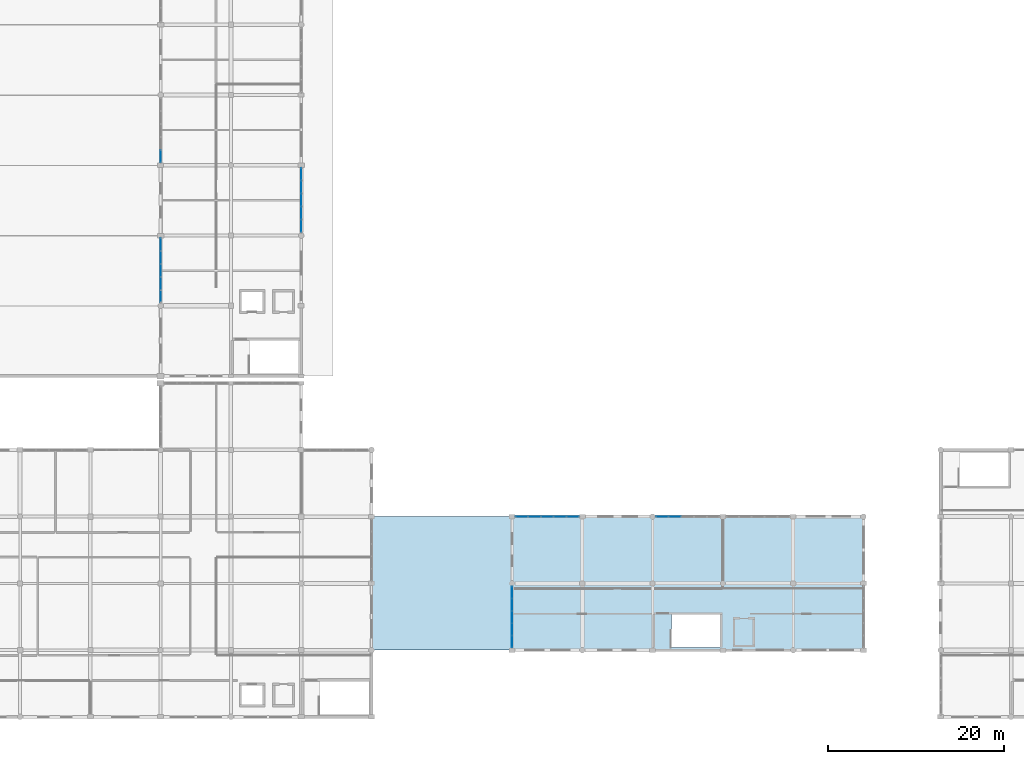
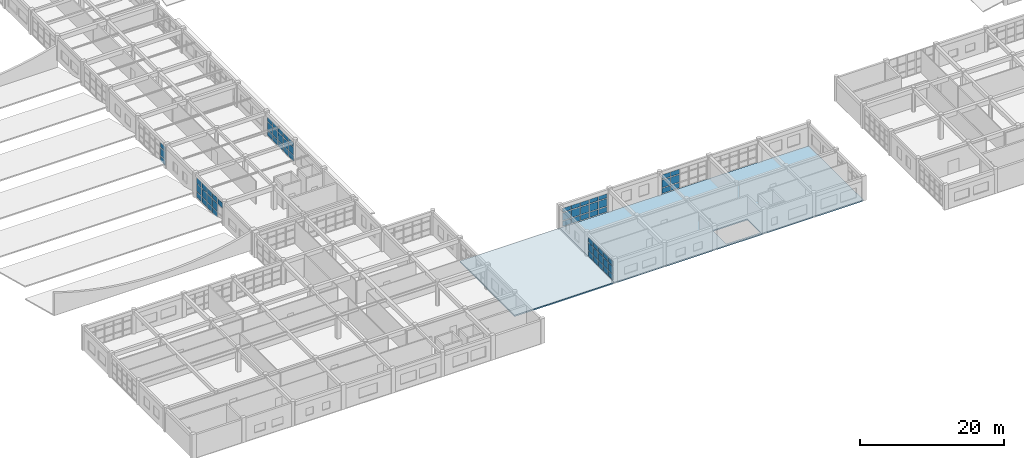
# One storey, part 92 of 121: 67 plates, 2 slabs, 6 elements without a shape of their own.
"""IFC4 building model written with IfcOpenShell, lengths in metres."""

from ifc_helpers import new_model, si_unit, direction, frame, origin, origin_2d, place, context, subcontext, project, spatial, polyline, rectangle, outline, extrude, material, layer, layer_set, type_object, element, aggregate, save


model = new_model("IFC4")

# Units and contexts
model_context = context("Model", 3, precision=1e-05, world=origin(), true_north=direction((0.0, 1.0)))
body_context = subcontext(model_context, "Body", "Model", "MODEL_VIEW")
ifc_project = project(units=[si_unit("LENGTHUNIT", "METRE"), si_unit("AREAUNIT", "SQUARE_METRE"), si_unit("VOLUMEUNIT", "CUBIC_METRE"), si_unit("PLANEANGLEUNIT", "RADIAN"), si_unit("MASSUNIT", "GRAM", prefix="KILO")], contexts=[model_context])

# Site, building, storey
site_placement = place(None, origin())
site = spatial("IfcSite", under=ifc_project, at=site_placement, CompositionType="ELEMENT")
building_placement = place(site_placement, origin())
building = spatial("IfcBuilding", under=site, at=building_placement, Name="Kharva Crest Polytechnic", CompositionType="ELEMENT")
storey_placement = place(building_placement, frame((0.0, 0.0, 13.199951171875)))
storey = spatial("IfcBuildingStorey", under=building, at=storey_placement, Name="L03", CompositionType="ELEMENT", Elevation=13.199951171875)

# Curtain wall, plates
ifc_material_1 = material(Name="Tempered insulated glass", Category="glass")
curtain_wall_type = type_object("IfcCurtainWallType", Name="CW-SYS-COURT", PredefinedType="USERDEFINED", material=ifc_material_1)
curtain_wall_1_placement = place(storey_placement, origin())
curtain_wall_1 = element("IfcCurtainWall", 1, at=curtain_wall_1_placement, inside=storey, type_object=curtain_wall_type, Name="L03 Glazed Curtain Wall CW-134", ObjectType="CURTAIN WALL", PredefinedType="USERDEFINED")
ifc_layer_1 = layer(ifc_material_1, 0.02392578125, Name="Tempered insulated glass")
ifc_layer_set_1 = layer_set([ifc_layer_1], Name="Tempered insulated glass")
plate_type = type_object("IfcPlateType", Name="CWP-GLZ-24", PredefinedType="CURTAIN_PANEL", material=ifc_layer_set_1)
plate_1_placement = place(storey_placement, frame((72.0, 14.153076171875, 0.119873046875), z_axis=(0.0, 0.0, 1.0), x_axis=(0.0, -1.0, 0.0)))
plate_1 = element("IfcPlate", 2, at=plate_1_placement, type_object=plate_type, Name="CW-134 panel 1.1", PredefinedType="CURTAIN_PANEL", context=body_context, shape_type="SweptSolid", body=[
    extrude(rectangle(XDim=1.283935546875, YDim=0.02392578125, at=origin_2d()), origin(), (0.0, 0.0, 1.0), 0.8701171875),
])
plate_2_placement = place(storey_placement, frame((72.0, 14.153076171875, 1.10986328125), z_axis=(0.0, 0.0, 1.0), x_axis=(0.0, -1.0, 0.0)))
plate_2 = element("IfcPlate", 3, at=plate_2_placement, type_object=plate_type, Name="CW-134 panel 1.2", PredefinedType="CURTAIN_PANEL", context=body_context, shape_type="SweptSolid", body=[
    extrude(rectangle(XDim=1.283935546875, YDim=0.02392578125, at=origin_2d()), origin(), (0.0, 0.0, 1.0), 1.280029296875),
])
plate_3_placement = place(storey_placement, frame((72.0, 14.153076171875, 2.510009765625), z_axis=(0.0, 0.0, 1.0), x_axis=(0.0, -1.0, 0.0)))
plate_3 = element("IfcPlate", 4, at=plate_3_placement, type_object=plate_type, Name="CW-134 panel 1.3", PredefinedType="CURTAIN_PANEL", context=body_context, shape_type="SweptSolid", body=[
    extrude(rectangle(XDim=1.283935546875, YDim=0.02392578125, at=origin_2d()), origin(), (0.0, 0.0, 1.0), 0.81005859375),
])
plate_4_placement = place(storey_placement, frame((72.0, 12.76904296875, 0.119873046875), z_axis=(0.0, 0.0, 1.0), x_axis=(0.0, -1.0, 0.0)))
plate_4 = element("IfcPlate", 5, at=plate_4_placement, type_object=plate_type, Name="CW-134 panel 2.1", PredefinedType="CURTAIN_PANEL", context=body_context, shape_type="SweptSolid", body=[
    extrude(rectangle(XDim=1.323974609375, YDim=0.02392578125, at=origin_2d()), origin(), (0.0, 0.0, 1.0), 0.8701171875),
])
plate_5_placement = place(storey_placement, frame((72.0, 12.76904296875, 1.10986328125), z_axis=(0.0, 0.0, 1.0), x_axis=(0.0, -1.0, 0.0)))
plate_5 = element("IfcPlate", 6, at=plate_5_placement, type_object=plate_type, Name="CW-134 panel 2.2", PredefinedType="CURTAIN_PANEL", context=body_context, shape_type="SweptSolid", body=[
    extrude(rectangle(XDim=1.323974609375, YDim=0.02392578125, at=origin_2d()), origin(), (0.0, 0.0, 1.0), 1.280029296875),
])
plate_6_placement = place(storey_placement, frame((72.0, 12.76904296875, 2.510009765625), z_axis=(0.0, 0.0, 1.0), x_axis=(0.0, -1.0, 0.0)))
plate_6 = element("IfcPlate", 7, at=plate_6_placement, type_object=plate_type, Name="CW-134 panel 2.3", PredefinedType="CURTAIN_PANEL", context=body_context, shape_type="SweptSolid", body=[
    extrude(rectangle(XDim=1.323974609375, YDim=0.02392578125, at=origin_2d()), origin(), (0.0, 0.0, 1.0), 0.81005859375),
])
plate_7_placement = place(storey_placement, frame((72.0, 11.364990234375, 0.119873046875), z_axis=(0.0, 0.0, 1.0), x_axis=(0.0, -1.0, 0.0)))
plate_7 = element("IfcPlate", 8, at=plate_7_placement, type_object=plate_type, Name="CW-134 panel 3.1", PredefinedType="CURTAIN_PANEL", context=body_context, shape_type="SweptSolid", body=[
    extrude(rectangle(XDim=1.323974609375, YDim=0.02392578125, at=origin_2d()), origin(), (0.0, 0.0, 1.0), 0.8701171875),
])
plate_8_placement = place(storey_placement, frame((72.0, 11.364990234375, 1.10986328125), z_axis=(0.0, 0.0, 1.0), x_axis=(0.0, -1.0, 0.0)))
plate_8 = element("IfcPlate", 9, at=plate_8_placement, type_object=plate_type, Name="CW-134 panel 3.2", PredefinedType="CURTAIN_PANEL", context=body_context, shape_type="SweptSolid", body=[
    extrude(rectangle(XDim=1.323974609375, YDim=0.02392578125, at=origin_2d()), origin(), (0.0, 0.0, 1.0), 1.280029296875),
])
plate_9_placement = place(storey_placement, frame((72.0, 11.364990234375, 2.510009765625), z_axis=(0.0, 0.0, 1.0), x_axis=(0.0, -1.0, 0.0)))
plate_9 = element("IfcPlate", 10, at=plate_9_placement, type_object=plate_type, Name="CW-134 panel 3.3", PredefinedType="CURTAIN_PANEL", context=body_context, shape_type="SweptSolid", body=[
    extrude(rectangle(XDim=1.323974609375, YDim=0.02392578125, at=origin_2d()), origin(), (0.0, 0.0, 1.0), 0.81005859375),
])
plate_10_placement = place(storey_placement, frame((72.0, 9.9609375, 0.119873046875), z_axis=(0.0, 0.0, 1.0), x_axis=(0.0, -1.0, 0.0)))
plate_10 = element("IfcPlate", 11, at=plate_10_placement, type_object=plate_type, Name="CW-134 panel 4.1", PredefinedType="CURTAIN_PANEL", context=body_context, shape_type="SweptSolid", body=[
    extrude(rectangle(XDim=1.323974609375, YDim=0.02392578125, at=origin_2d()), origin(), (0.0, 0.0, 1.0), 0.8701171875),
])
plate_11_placement = place(storey_placement, frame((72.0, 9.9609375, 1.10986328125), z_axis=(0.0, 0.0, 1.0), x_axis=(0.0, -1.0, 0.0)))
plate_11 = element("IfcPlate", 12, at=plate_11_placement, type_object=plate_type, Name="CW-134 panel 4.2", PredefinedType="CURTAIN_PANEL", context=body_context, shape_type="SweptSolid", body=[
    extrude(rectangle(XDim=1.323974609375, YDim=0.02392578125, at=origin_2d()), origin(), (0.0, 0.0, 1.0), 1.280029296875),
])
plate_12_placement = place(storey_placement, frame((72.0, 9.9609375, 2.510009765625), z_axis=(0.0, 0.0, 1.0), x_axis=(0.0, -1.0, 0.0)))
plate_12 = element("IfcPlate", 13, at=plate_12_placement, type_object=plate_type, Name="CW-134 panel 4.3", PredefinedType="CURTAIN_PANEL", context=body_context, shape_type="SweptSolid", body=[
    extrude(rectangle(XDim=1.323974609375, YDim=0.02392578125, at=origin_2d()), origin(), (0.0, 0.0, 1.0), 0.81005859375),
])
plate_13_placement = place(storey_placement, frame((72.0, 8.576904296875, 0.119873046875), z_axis=(0.0, 0.0, 1.0), x_axis=(0.0, -1.0, 0.0)))
plate_13 = element("IfcPlate", 14, at=plate_13_placement, type_object=plate_type, Name="CW-134 panel 5.1", PredefinedType="CURTAIN_PANEL", context=body_context, shape_type="SweptSolid", body=[
    extrude(rectangle(XDim=1.283935546875, YDim=0.02392578125, at=origin_2d()), origin(), (0.0, 0.0, 1.0), 0.8701171875),
])
plate_14_placement = place(storey_placement, frame((72.0, 8.576904296875, 1.10986328125), z_axis=(0.0, 0.0, 1.0), x_axis=(0.0, -1.0, 0.0)))
plate_14 = element("IfcPlate", 15, at=plate_14_placement, type_object=plate_type, Name="CW-134 panel 5.2", PredefinedType="CURTAIN_PANEL", context=body_context, shape_type="SweptSolid", body=[
    extrude(rectangle(XDim=1.283935546875, YDim=0.02392578125, at=origin_2d()), origin(), (0.0, 0.0, 1.0), 1.280029296875),
])
plate_15_placement = place(storey_placement, frame((72.0, 8.576904296875, 2.510009765625), z_axis=(0.0, 0.0, 1.0), x_axis=(0.0, -1.0, 0.0)))
plate_15 = element("IfcPlate", 16, at=plate_15_placement, type_object=plate_type, Name="CW-134 panel 5.3", PredefinedType="CURTAIN_PANEL", context=body_context, shape_type="SweptSolid", body=[
    extrude(rectangle(XDim=1.283935546875, YDim=0.02392578125, at=origin_2d()), origin(), (0.0, 0.0, 1.0), 0.81005859375),
])
aggregate(curtain_wall_1, [plate_1, plate_2, plate_3, plate_4, plate_5, plate_6, plate_7, plate_8, plate_9, plate_10, plate_11, plate_12, plate_13, plate_14, plate_15])

curtain_wall_2_placement = place(storey_placement, origin())
curtain_wall_2 = element("IfcCurtainWall", 17, at=curtain_wall_2_placement, inside=storey, type_object=curtain_wall_type, Name="L03 Glazed Curtain Wall CW-137", ObjectType="CURTAIN WALL", PredefinedType="USERDEFINED")
plate_16_placement = place(storey_placement, frame((90.52099609375, 22.800048828125, 0.119873046875), z_axis=(0.0, 0.0, 1.0), x_axis=(-1.0, 0.0, 0.0)))
plate_16 = element("IfcPlate", 18, at=plate_16_placement, type_object=plate_type, Name="CW-137 panel 4.1", PredefinedType="CURTAIN_PANEL", context=body_context, shape_type="SweptSolid", body=[
    extrude(rectangle(XDim=1.384033203125, YDim=0.02392578125, at=origin_2d()), origin(), (0.0, 0.0, 1.0), 0.8701171875),
])
plate_17_placement = place(storey_placement, frame((90.52099609375, 22.800048828125, 1.10986328125), z_axis=(0.0, 0.0, 1.0), x_axis=(-1.0, 0.0, 0.0)))
plate_17 = element("IfcPlate", 19, at=plate_17_placement, type_object=plate_type, Name="CW-137 panel 4.2", PredefinedType="CURTAIN_PANEL", context=body_context, shape_type="SweptSolid", body=[
    extrude(rectangle(XDim=1.384033203125, YDim=0.02392578125, at=origin_2d()), origin(), (0.0, 0.0, 1.0), 1.280029296875),
])
plate_18_placement = place(storey_placement, frame((90.52099609375, 22.800048828125, 2.51025390625), z_axis=(0.0, 0.0, 1.0), x_axis=(-1.0, 0.0, 0.0)))
plate_18 = element("IfcPlate", 20, at=plate_18_placement, type_object=plate_type, Name="CW-137 panel 4.3", PredefinedType="CURTAIN_PANEL", context=body_context, shape_type="SweptSolid", body=[
    extrude(rectangle(XDim=1.384033203125, YDim=0.02392578125, at=origin_2d()), origin(), (0.0, 0.0, 1.0), 0.780029296875),
])
plate_19_placement = place(storey_placement, frame((89.076904296875, 22.800048828125, 0.119873046875), z_axis=(0.0, 0.0, 1.0), x_axis=(-1.0, 0.0, 0.0)))
plate_19 = element("IfcPlate", 21, at=plate_19_placement, type_object=plate_type, Name="CW-137 panel 5.1", PredefinedType="CURTAIN_PANEL", context=body_context, shape_type="SweptSolid", body=[
    extrude(rectangle(XDim=1.343994140625, YDim=0.02392578125, at=origin_2d()), origin(), (0.0, 0.0, 1.0), 0.8701171875),
])
plate_20_placement = place(storey_placement, frame((89.076904296875, 22.800048828125, 1.10986328125), z_axis=(0.0, 0.0, 1.0), x_axis=(-1.0, 0.0, 0.0)))
plate_20 = element("IfcPlate", 22, at=plate_20_placement, type_object=plate_type, Name="CW-137 panel 5.2", PredefinedType="CURTAIN_PANEL", context=body_context, shape_type="SweptSolid", body=[
    extrude(rectangle(XDim=1.343994140625, YDim=0.02392578125, at=origin_2d()), origin(), (0.0, 0.0, 1.0), 1.280029296875),
])
plate_21_placement = place(storey_placement, frame((89.076904296875, 22.800048828125, 2.51025390625), z_axis=(0.0, 0.0, 1.0), x_axis=(-1.0, 0.0, 0.0)))
plate_21 = element("IfcPlate", 23, at=plate_21_placement, type_object=plate_type, Name="CW-137 panel 5.3", PredefinedType="CURTAIN_PANEL", context=body_context, shape_type="SweptSolid", body=[
    extrude(rectangle(XDim=1.343994140625, YDim=0.02392578125, at=origin_2d()), origin(), (0.0, 0.0, 1.0), 0.780029296875),
])
aggregate(curtain_wall_2, [plate_16, plate_17, plate_18, plate_19, plate_20, plate_21])

curtain_wall_3_placement = place(storey_placement, origin())
curtain_wall_3 = element("IfcCurtainWall", 24, at=curtain_wall_3_placement, inside=storey, type_object=curtain_wall_type, Name="L03 Glazed Curtain Wall CW-138", ObjectType="CURTAIN WALL", PredefinedType="USERDEFINED")
plate_22_placement = place(storey_placement, frame((78.905029296875, 22.800048828125, 0.119873046875), z_axis=(0.0, 0.0, 1.0), x_axis=(-1.0, 0.0, 0.0)))
plate_22 = element("IfcPlate", 25, at=plate_22_placement, type_object=plate_type, Name="CW-138 panel 1.1", PredefinedType="CURTAIN_PANEL", context=body_context, shape_type="SweptSolid", body=[
    extrude(rectangle(XDim=1.340087890625, YDim=0.02392578125, at=origin_2d()), origin(), (0.0, 0.0, 1.0), 0.8701171875),
])
plate_23_placement = place(storey_placement, frame((78.905029296875, 22.800048828125, 1.10986328125), z_axis=(0.0, 0.0, 1.0), x_axis=(-1.0, 0.0, 0.0)))
plate_23 = element("IfcPlate", 26, at=plate_23_placement, type_object=plate_type, Name="CW-138 panel 1.2", PredefinedType="CURTAIN_PANEL", context=body_context, shape_type="SweptSolid", body=[
    extrude(rectangle(XDim=1.340087890625, YDim=0.02392578125, at=origin_2d()), origin(), (0.0, 0.0, 1.0), 1.280029296875),
])
plate_24_placement = place(storey_placement, frame((78.905029296875, 22.800048828125, 2.51025390625), z_axis=(0.0, 0.0, 1.0), x_axis=(-1.0, 0.0, 0.0)))
plate_24 = element("IfcPlate", 27, at=plate_24_placement, type_object=plate_type, Name="CW-138 panel 1.3", PredefinedType="CURTAIN_PANEL", context=body_context, shape_type="SweptSolid", body=[
    extrude(rectangle(XDim=1.340087890625, YDim=0.02392578125, at=origin_2d()), origin(), (0.0, 0.0, 1.0), 0.679931640625),
])
plate_25_placement = place(storey_placement, frame((77.465087890625, 22.800048828125, 0.119873046875), z_axis=(0.0, 0.0, 1.0), x_axis=(-1.0, 0.0, 0.0)))
plate_25 = element("IfcPlate", 28, at=plate_25_placement, type_object=plate_type, Name="CW-138 panel 2.1", PredefinedType="CURTAIN_PANEL", context=body_context, shape_type="SweptSolid", body=[
    extrude(rectangle(XDim=1.3798828125, YDim=0.02392578125, at=origin_2d()), origin(), (0.0, 0.0, 1.0), 0.8701171875),
])
plate_26_placement = place(storey_placement, frame((77.465087890625, 22.800048828125, 1.10986328125), z_axis=(0.0, 0.0, 1.0), x_axis=(-1.0, 0.0, 0.0)))
plate_26 = element("IfcPlate", 29, at=plate_26_placement, type_object=plate_type, Name="CW-138 panel 2.2", PredefinedType="CURTAIN_PANEL", context=body_context, shape_type="SweptSolid", body=[
    extrude(rectangle(XDim=1.3798828125, YDim=0.02392578125, at=origin_2d()), origin(), (0.0, 0.0, 1.0), 1.280029296875),
])
plate_27_placement = place(storey_placement, frame((77.465087890625, 22.800048828125, 2.51025390625), z_axis=(0.0, 0.0, 1.0), x_axis=(-1.0, 0.0, 0.0)))
plate_27 = element("IfcPlate", 30, at=plate_27_placement, type_object=plate_type, Name="CW-138 panel 2.3", PredefinedType="CURTAIN_PANEL", context=body_context, shape_type="SweptSolid", body=[
    extrude(rectangle(XDim=1.3798828125, YDim=0.02392578125, at=origin_2d()), origin(), (0.0, 0.0, 1.0), 0.679931640625),
])
plate_28_placement = place(storey_placement, frame((76.0048828125, 22.800048828125, 0.119873046875), z_axis=(0.0, 0.0, 1.0), x_axis=(-1.0, 0.0, 0.0)))
plate_28 = element("IfcPlate", 31, at=plate_28_placement, type_object=plate_type, Name="CW-138 panel 3.1", PredefinedType="CURTAIN_PANEL", context=body_context, shape_type="SweptSolid", body=[
    extrude(rectangle(XDim=1.3798828125, YDim=0.02392578125, at=origin_2d()), origin(), (0.0, 0.0, 1.0), 0.8701171875),
])
plate_29_placement = place(storey_placement, frame((76.0048828125, 22.800048828125, 1.10986328125), z_axis=(0.0, 0.0, 1.0), x_axis=(-1.0, 0.0, 0.0)))
plate_29 = element("IfcPlate", 32, at=plate_29_placement, type_object=plate_type, Name="CW-138 panel 3.2", PredefinedType="CURTAIN_PANEL", context=body_context, shape_type="SweptSolid", body=[
    extrude(rectangle(XDim=1.3798828125, YDim=0.02392578125, at=origin_2d()), origin(), (0.0, 0.0, 1.0), 1.280029296875),
])
plate_30_placement = place(storey_placement, frame((76.0048828125, 22.800048828125, 2.51025390625), z_axis=(0.0, 0.0, 1.0), x_axis=(-1.0, 0.0, 0.0)))
plate_30 = element("IfcPlate", 33, at=plate_30_placement, type_object=plate_type, Name="CW-138 panel 3.3", PredefinedType="CURTAIN_PANEL", context=body_context, shape_type="SweptSolid", body=[
    extrude(rectangle(XDim=1.3798828125, YDim=0.02392578125, at=origin_2d()), origin(), (0.0, 0.0, 1.0), 0.679931640625),
])
plate_31_placement = place(storey_placement, frame((74.544921875, 22.800048828125, 0.119873046875), z_axis=(0.0, 0.0, 1.0), x_axis=(-1.0, 0.0, 0.0)))
plate_31 = element("IfcPlate", 34, at=plate_31_placement, type_object=plate_type, Name="CW-138 panel 4.1", PredefinedType="CURTAIN_PANEL", context=body_context, shape_type="SweptSolid", body=[
    extrude(rectangle(XDim=1.3798828125, YDim=0.02392578125, at=origin_2d()), origin(), (0.0, 0.0, 1.0), 0.8701171875),
])
plate_32_placement = place(storey_placement, frame((74.544921875, 22.800048828125, 1.10986328125), z_axis=(0.0, 0.0, 1.0), x_axis=(-1.0, 0.0, 0.0)))
plate_32 = element("IfcPlate", 35, at=plate_32_placement, type_object=plate_type, Name="CW-138 panel 4.2", PredefinedType="CURTAIN_PANEL", context=body_context, shape_type="SweptSolid", body=[
    extrude(rectangle(XDim=1.3798828125, YDim=0.02392578125, at=origin_2d()), origin(), (0.0, 0.0, 1.0), 1.280029296875),
])
plate_33_placement = place(storey_placement, frame((74.544921875, 22.800048828125, 2.51025390625), z_axis=(0.0, 0.0, 1.0), x_axis=(-1.0, 0.0, 0.0)))
plate_33 = element("IfcPlate", 36, at=plate_33_placement, type_object=plate_type, Name="CW-138 panel 4.3", PredefinedType="CURTAIN_PANEL", context=body_context, shape_type="SweptSolid", body=[
    extrude(rectangle(XDim=1.3798828125, YDim=0.02392578125, at=origin_2d()), origin(), (0.0, 0.0, 1.0), 0.679931640625),
])
plate_34_placement = place(storey_placement, frame((73.10498046875, 22.800048828125, 0.119873046875), z_axis=(0.0, 0.0, 1.0), x_axis=(-1.0, 0.0, 0.0)))
plate_34 = element("IfcPlate", 37, at=plate_34_placement, type_object=plate_type, Name="CW-138 panel 5.1", PredefinedType="CURTAIN_PANEL", context=body_context, shape_type="SweptSolid", body=[
    extrude(rectangle(XDim=1.340087890625, YDim=0.02392578125, at=origin_2d()), origin(), (0.0, 0.0, 1.0), 0.8701171875),
])
plate_35_placement = place(storey_placement, frame((73.10498046875, 22.800048828125, 1.10986328125), z_axis=(0.0, 0.0, 1.0), x_axis=(-1.0, 0.0, 0.0)))
plate_35 = element("IfcPlate", 38, at=plate_35_placement, type_object=plate_type, Name="CW-138 panel 5.2", PredefinedType="CURTAIN_PANEL", context=body_context, shape_type="SweptSolid", body=[
    extrude(rectangle(XDim=1.340087890625, YDim=0.02392578125, at=origin_2d()), origin(), (0.0, 0.0, 1.0), 1.280029296875),
])
plate_36_placement = place(storey_placement, frame((73.10498046875, 22.800048828125, 2.51025390625), z_axis=(0.0, 0.0, 1.0), x_axis=(-1.0, 0.0, 0.0)))
plate_36 = element("IfcPlate", 39, at=plate_36_placement, type_object=plate_type, Name="CW-138 panel 5.3", PredefinedType="CURTAIN_PANEL", context=body_context, shape_type="SweptSolid", body=[
    extrude(rectangle(XDim=1.340087890625, YDim=0.02392578125, at=origin_2d()), origin(), (0.0, 0.0, 1.0), 0.679931640625),
])
aggregate(curtain_wall_3, [plate_22, plate_23, plate_24, plate_25, plate_26, plate_27, plate_28, plate_29, plate_30, plate_31, plate_32, plate_33, plate_34, plate_35, plate_36])

curtain_wall_4_placement = place(storey_placement, origin())
curtain_wall_4 = element("IfcCurtainWall", 40, at=curtain_wall_4_placement, inside=storey, type_object=curtain_wall_type, Name="L03 Glazed Curtain Wall CW-167", ObjectType="CURTAIN WALL", PredefinedType="USERDEFINED")
plate_37_placement = place(storey_placement, frame((32.0, 63.81689453125, 0.119873046875), z_axis=(0.0, 0.0, 1.0), x_axis=(0.0, -1.0, 0.0)))
plate_37 = element("IfcPlate", 41, at=plate_37_placement, type_object=plate_type, Name="CW-167 panel 5.1", PredefinedType="CURTAIN_PANEL", context=body_context, shape_type="SweptSolid", body=[
    extrude(rectangle(XDim=1.364013671875, YDim=0.02392578125, at=origin_2d()), origin(), (0.0, 0.0, 1.0), 0.8701171875),
])
plate_38_placement = place(storey_placement, frame((32.0, 63.81689453125, 1.10986328125), z_axis=(0.0, 0.0, 1.0), x_axis=(0.0, -1.0, 0.0)))
plate_38 = element("IfcPlate", 42, at=plate_38_placement, type_object=plate_type, Name="CW-167 panel 5.2", PredefinedType="CURTAIN_PANEL", context=body_context, shape_type="SweptSolid", body=[
    extrude(rectangle(XDim=1.364013671875, YDim=0.02392578125, at=origin_2d()), origin(), (0.0, 0.0, 1.0), 1.280029296875),
])
plate_39_placement = place(storey_placement, frame((32.0, 63.81689453125, 2.510009765625), z_axis=(0.0, 0.0, 1.0), x_axis=(0.0, -1.0, 0.0)))
plate_39 = element("IfcPlate", 43, at=plate_39_placement, type_object=plate_type, Name="CW-167 panel 5.3", PredefinedType="CURTAIN_PANEL", context=body_context, shape_type="SweptSolid", body=[
    extrude(rectangle(XDim=1.364013671875, YDim=0.02392578125, at=origin_2d()), origin(), (0.0, 0.0, 1.0), 0.75),
])
aggregate(curtain_wall_4, [plate_37, plate_38, plate_39])

curtain_wall_5_placement = place(storey_placement, origin())
curtain_wall_5 = element("IfcCurtainWall", 44, at=curtain_wall_5_placement, inside=storey, type_object=curtain_wall_type, Name="L03 Glazed Curtain Wall CW-168", ObjectType="CURTAIN WALL", PredefinedType="USERDEFINED")
plate_40_placement = place(storey_placement, frame((32.0, 53.782958984375, 0.119873046875), z_axis=(0.0, 0.0, 1.0), x_axis=(0.0, -1.0, 0.0)))
plate_40 = element("IfcPlate", 45, at=plate_40_placement, type_object=plate_type, Name="CW-168 panel 1.1", PredefinedType="CURTAIN_PANEL", context=body_context, shape_type="SweptSolid", body=[
    extrude(rectangle(XDim=1.364013671875, YDim=0.02392578125, at=origin_2d()), origin(), (0.0, 0.0, 1.0), 0.8701171875),
])
plate_41_placement = place(storey_placement, frame((32.0, 53.782958984375, 1.10986328125), z_axis=(0.0, 0.0, 1.0), x_axis=(0.0, -1.0, 0.0)))
plate_41 = element("IfcPlate", 46, at=plate_41_placement, type_object=plate_type, Name="CW-168 panel 1.2", PredefinedType="CURTAIN_PANEL", context=body_context, shape_type="SweptSolid", body=[
    extrude(rectangle(XDim=1.364013671875, YDim=0.02392578125, at=origin_2d()), origin(), (0.0, 0.0, 1.0), 1.280029296875),
])
plate_42_placement = place(storey_placement, frame((32.0, 53.782958984375, 2.51025390625), z_axis=(0.0, 0.0, 1.0), x_axis=(0.0, -1.0, 0.0)))
plate_42 = element("IfcPlate", 47, at=plate_42_placement, type_object=plate_type, Name="CW-168 panel 1.3", PredefinedType="CURTAIN_PANEL", context=body_context, shape_type="SweptSolid", body=[
    extrude(rectangle(XDim=1.364013671875, YDim=0.02392578125, at=origin_2d()), origin(), (0.0, 0.0, 1.0), 0.889892578125),
])
plate_43_placement = place(storey_placement, frame((32.0, 52.319091796875, 0.119873046875), z_axis=(0.0, 0.0, 1.0), x_axis=(0.0, -1.0, 0.0)))
plate_43 = element("IfcPlate", 48, at=plate_43_placement, type_object=plate_type, Name="CW-168 panel 2.1", PredefinedType="CURTAIN_PANEL", context=body_context, shape_type="SweptSolid", body=[
    extrude(rectangle(XDim=1.404052734375, YDim=0.02392578125, at=origin_2d()), origin(), (0.0, 0.0, 1.0), 0.8701171875),
])
plate_44_placement = place(storey_placement, frame((32.0, 52.319091796875, 1.10986328125), z_axis=(0.0, 0.0, 1.0), x_axis=(0.0, -1.0, 0.0)))
plate_44 = element("IfcPlate", 49, at=plate_44_placement, type_object=plate_type, Name="CW-168 panel 2.2", PredefinedType="CURTAIN_PANEL", context=body_context, shape_type="SweptSolid", body=[
    extrude(rectangle(XDim=1.404052734375, YDim=0.02392578125, at=origin_2d()), origin(), (0.0, 0.0, 1.0), 1.280029296875),
])
plate_45_placement = place(storey_placement, frame((32.0, 52.319091796875, 2.51025390625), z_axis=(0.0, 0.0, 1.0), x_axis=(0.0, -1.0, 0.0)))
plate_45 = element("IfcPlate", 50, at=plate_45_placement, type_object=plate_type, Name="CW-168 panel 2.3", PredefinedType="CURTAIN_PANEL", context=body_context, shape_type="SweptSolid", body=[
    extrude(rectangle(XDim=1.404052734375, YDim=0.02392578125, at=origin_2d()), origin(), (0.0, 0.0, 1.0), 0.889892578125),
])
plate_46_placement = place(storey_placement, frame((32.0, 50.8349609375, 0.119873046875), z_axis=(0.0, 0.0, 1.0), x_axis=(0.0, -1.0, 0.0)))
plate_46 = element("IfcPlate", 51, at=plate_46_placement, type_object=plate_type, Name="CW-168 panel 3.1", PredefinedType="CURTAIN_PANEL", context=body_context, shape_type="SweptSolid", body=[
    extrude(rectangle(XDim=1.404052734375, YDim=0.02392578125, at=origin_2d()), origin(), (0.0, 0.0, 1.0), 0.8701171875),
])
plate_47_placement = place(storey_placement, frame((32.0, 50.8349609375, 1.10986328125), z_axis=(0.0, 0.0, 1.0), x_axis=(0.0, -1.0, 0.0)))
plate_47 = element("IfcPlate", 52, at=plate_47_placement, type_object=plate_type, Name="CW-168 panel 3.2", PredefinedType="CURTAIN_PANEL", context=body_context, shape_type="SweptSolid", body=[
    extrude(rectangle(XDim=1.404052734375, YDim=0.02392578125, at=origin_2d()), origin(), (0.0, 0.0, 1.0), 1.280029296875),
])
plate_48_placement = place(storey_placement, frame((32.0, 50.8349609375, 2.51025390625), z_axis=(0.0, 0.0, 1.0), x_axis=(0.0, -1.0, 0.0)))
plate_48 = element("IfcPlate", 53, at=plate_48_placement, type_object=plate_type, Name="CW-168 panel 3.3", PredefinedType="CURTAIN_PANEL", context=body_context, shape_type="SweptSolid", body=[
    extrude(rectangle(XDim=1.404052734375, YDim=0.02392578125, at=origin_2d()), origin(), (0.0, 0.0, 1.0), 0.889892578125),
])
plate_49_placement = place(storey_placement, frame((32.0, 49.35107421875, 0.119873046875), z_axis=(0.0, 0.0, 1.0), x_axis=(0.0, -1.0, 0.0)))
plate_49 = element("IfcPlate", 54, at=plate_49_placement, type_object=plate_type, Name="CW-168 panel 4.1", PredefinedType="CURTAIN_PANEL", context=body_context, shape_type="SweptSolid", body=[
    extrude(rectangle(XDim=1.404052734375, YDim=0.02392578125, at=origin_2d()), origin(), (0.0, 0.0, 1.0), 0.8701171875),
])
plate_50_placement = place(storey_placement, frame((32.0, 49.35107421875, 1.10986328125), z_axis=(0.0, 0.0, 1.0), x_axis=(0.0, -1.0, 0.0)))
plate_50 = element("IfcPlate", 55, at=plate_50_placement, type_object=plate_type, Name="CW-168 panel 4.2", PredefinedType="CURTAIN_PANEL", context=body_context, shape_type="SweptSolid", body=[
    extrude(rectangle(XDim=1.404052734375, YDim=0.02392578125, at=origin_2d()), origin(), (0.0, 0.0, 1.0), 1.280029296875),
])
plate_51_placement = place(storey_placement, frame((32.0, 49.35107421875, 2.51025390625), z_axis=(0.0, 0.0, 1.0), x_axis=(0.0, -1.0, 0.0)))
plate_51 = element("IfcPlate", 56, at=plate_51_placement, type_object=plate_type, Name="CW-168 panel 4.3", PredefinedType="CURTAIN_PANEL", context=body_context, shape_type="SweptSolid", body=[
    extrude(rectangle(XDim=1.404052734375, YDim=0.02392578125, at=origin_2d()), origin(), (0.0, 0.0, 1.0), 0.889892578125),
])
plate_52_placement = place(storey_placement, frame((32.0, 47.886962890625, 2.51025390625), z_axis=(0.0, 0.0, 1.0), x_axis=(0.0, -1.0, 0.0)))
plate_52 = element("IfcPlate", 57, at=plate_52_placement, type_object=plate_type, Name="CW-168 panel 5.3", PredefinedType="CURTAIN_PANEL", context=body_context, shape_type="SweptSolid", body=[
    extrude(rectangle(XDim=1.364013671875, YDim=0.02392578125, at=origin_2d()), origin(), (0.0, 0.0, 1.0), 0.889892578125),
])
aggregate(curtain_wall_5, [plate_40, plate_41, plate_42, plate_43, plate_44, plate_45, plate_46, plate_47, plate_48, plate_49, plate_50, plate_51, plate_52])

curtain_wall_6_placement = place(storey_placement, origin())
curtain_wall_6 = element("IfcCurtainWall", 58, at=curtain_wall_6_placement, inside=storey, type_object=curtain_wall_type, Name="L03 Glazed Curtain Wall CW-169", ObjectType="CURTAIN WALL", PredefinedType="USERDEFINED")
plate_53_placement = place(storey_placement, frame((48.0, 55.886962890625, 0.119873046875), z_axis=(0.0, 0.0, 1.0), x_axis=(0.0, 1.0, 0.0)))
plate_53 = element("IfcPlate", 59, at=plate_53_placement, type_object=plate_type, Name="CW-169 panel 1.1", PredefinedType="CURTAIN_PANEL", context=body_context, shape_type="SweptSolid", body=[
    extrude(rectangle(XDim=1.364013671875, YDim=0.02392578125, at=origin_2d()), origin(), (0.0, 0.0, 1.0), 0.8701171875),
])
plate_54_placement = place(storey_placement, frame((48.0, 55.886962890625, 1.10986328125), z_axis=(0.0, 0.0, 1.0), x_axis=(0.0, 1.0, 0.0)))
plate_54 = element("IfcPlate", 60, at=plate_54_placement, type_object=plate_type, Name="CW-169 panel 1.2", PredefinedType="CURTAIN_PANEL", context=body_context, shape_type="SweptSolid", body=[
    extrude(rectangle(XDim=1.364013671875, YDim=0.02392578125, at=origin_2d()), origin(), (0.0, 0.0, 1.0), 1.280029296875),
])
plate_55_placement = place(storey_placement, frame((48.0, 55.886962890625, 2.510009765625), z_axis=(0.0, 0.0, 1.0), x_axis=(0.0, 1.0, 0.0)))
plate_55 = element("IfcPlate", 61, at=plate_55_placement, type_object=plate_type, Name="CW-169 panel 1.3", PredefinedType="CURTAIN_PANEL", context=body_context, shape_type="SweptSolid", body=[
    extrude(rectangle(XDim=1.364013671875, YDim=0.02392578125, at=origin_2d()), origin(), (0.0, 0.0, 1.0), 0.7099609375),
])
plate_56_placement = place(storey_placement, frame((48.0, 57.35107421875, 0.119873046875), z_axis=(0.0, 0.0, 1.0), x_axis=(0.0, 1.0, 0.0)))
plate_56 = element("IfcPlate", 62, at=plate_56_placement, type_object=plate_type, Name="CW-169 panel 2.1", PredefinedType="CURTAIN_PANEL", context=body_context, shape_type="SweptSolid", body=[
    extrude(rectangle(XDim=1.404052734375, YDim=0.02392578125, at=origin_2d()), origin(), (0.0, 0.0, 1.0), 0.8701171875),
])
plate_57_placement = place(storey_placement, frame((48.0, 57.35107421875, 1.10986328125), z_axis=(0.0, 0.0, 1.0), x_axis=(0.0, 1.0, 0.0)))
plate_57 = element("IfcPlate", 63, at=plate_57_placement, type_object=plate_type, Name="CW-169 panel 2.2", PredefinedType="CURTAIN_PANEL", context=body_context, shape_type="SweptSolid", body=[
    extrude(rectangle(XDim=1.404052734375, YDim=0.02392578125, at=origin_2d()), origin(), (0.0, 0.0, 1.0), 1.280029296875),
])
plate_58_placement = place(storey_placement, frame((48.0, 57.35107421875, 2.510009765625), z_axis=(0.0, 0.0, 1.0), x_axis=(0.0, 1.0, 0.0)))
plate_58 = element("IfcPlate", 64, at=plate_58_placement, type_object=plate_type, Name="CW-169 panel 2.3", PredefinedType="CURTAIN_PANEL", context=body_context, shape_type="SweptSolid", body=[
    extrude(rectangle(XDim=1.404052734375, YDim=0.02392578125, at=origin_2d()), origin(), (0.0, 0.0, 1.0), 0.7099609375),
])
plate_59_placement = place(storey_placement, frame((48.0, 58.8349609375, 0.119873046875), z_axis=(0.0, 0.0, 1.0), x_axis=(0.0, 1.0, 0.0)))
plate_59 = element("IfcPlate", 65, at=plate_59_placement, type_object=plate_type, Name="CW-169 panel 3.1", PredefinedType="CURTAIN_PANEL", context=body_context, shape_type="SweptSolid", body=[
    extrude(rectangle(XDim=1.404052734375, YDim=0.02392578125, at=origin_2d()), origin(), (0.0, 0.0, 1.0), 0.8701171875),
])
plate_60_placement = place(storey_placement, frame((48.0, 58.8349609375, 1.10986328125), z_axis=(0.0, 0.0, 1.0), x_axis=(0.0, 1.0, 0.0)))
plate_60 = element("IfcPlate", 66, at=plate_60_placement, type_object=plate_type, Name="CW-169 panel 3.2", PredefinedType="CURTAIN_PANEL", context=body_context, shape_type="SweptSolid", body=[
    extrude(rectangle(XDim=1.404052734375, YDim=0.02392578125, at=origin_2d()), origin(), (0.0, 0.0, 1.0), 1.280029296875),
])
plate_61_placement = place(storey_placement, frame((48.0, 58.8349609375, 2.510009765625), z_axis=(0.0, 0.0, 1.0), x_axis=(0.0, 1.0, 0.0)))
plate_61 = element("IfcPlate", 67, at=plate_61_placement, type_object=plate_type, Name="CW-169 panel 3.3", PredefinedType="CURTAIN_PANEL", context=body_context, shape_type="SweptSolid", body=[
    extrude(rectangle(XDim=1.404052734375, YDim=0.02392578125, at=origin_2d()), origin(), (0.0, 0.0, 1.0), 0.7099609375),
])
plate_62_placement = place(storey_placement, frame((48.0, 60.319091796875, 0.119873046875), z_axis=(0.0, 0.0, 1.0), x_axis=(0.0, 1.0, 0.0)))
plate_62 = element("IfcPlate", 68, at=plate_62_placement, type_object=plate_type, Name="CW-169 panel 4.1", PredefinedType="CURTAIN_PANEL", context=body_context, shape_type="SweptSolid", body=[
    extrude(rectangle(XDim=1.404052734375, YDim=0.02392578125, at=origin_2d()), origin(), (0.0, 0.0, 1.0), 0.8701171875),
])
plate_63_placement = place(storey_placement, frame((48.0, 60.319091796875, 1.10986328125), z_axis=(0.0, 0.0, 1.0), x_axis=(0.0, 1.0, 0.0)))
plate_63 = element("IfcPlate", 69, at=plate_63_placement, type_object=plate_type, Name="CW-169 panel 4.2", PredefinedType="CURTAIN_PANEL", context=body_context, shape_type="SweptSolid", body=[
    extrude(rectangle(XDim=1.404052734375, YDim=0.02392578125, at=origin_2d()), origin(), (0.0, 0.0, 1.0), 1.280029296875),
])
plate_64_placement = place(storey_placement, frame((48.0, 60.319091796875, 2.510009765625), z_axis=(0.0, 0.0, 1.0), x_axis=(0.0, 1.0, 0.0)))
plate_64 = element("IfcPlate", 70, at=plate_64_placement, type_object=plate_type, Name="CW-169 panel 4.3", PredefinedType="CURTAIN_PANEL", context=body_context, shape_type="SweptSolid", body=[
    extrude(rectangle(XDim=1.404052734375, YDim=0.02392578125, at=origin_2d()), origin(), (0.0, 0.0, 1.0), 0.7099609375),
])
plate_65_placement = place(storey_placement, frame((48.0, 61.782958984375, 0.119873046875), z_axis=(0.0, 0.0, 1.0), x_axis=(0.0, 1.0, 0.0)))
plate_65 = element("IfcPlate", 71, at=plate_65_placement, type_object=plate_type, Name="CW-169 panel 5.1", PredefinedType="CURTAIN_PANEL", context=body_context, shape_type="SweptSolid", body=[
    extrude(rectangle(XDim=1.364013671875, YDim=0.02392578125, at=origin_2d()), origin(), (0.0, 0.0, 1.0), 0.8701171875),
])
plate_66_placement = place(storey_placement, frame((48.0, 61.782958984375, 1.10986328125), z_axis=(0.0, 0.0, 1.0), x_axis=(0.0, 1.0, 0.0)))
plate_66 = element("IfcPlate", 72, at=plate_66_placement, type_object=plate_type, Name="CW-169 panel 5.2", PredefinedType="CURTAIN_PANEL", context=body_context, shape_type="SweptSolid", body=[
    extrude(rectangle(XDim=1.364013671875, YDim=0.02392578125, at=origin_2d()), origin(), (0.0, 0.0, 1.0), 1.280029296875),
])
plate_67_placement = place(storey_placement, frame((48.0, 61.782958984375, 2.510009765625), z_axis=(0.0, 0.0, 1.0), x_axis=(0.0, 1.0, 0.0)))
plate_67 = element("IfcPlate", 73, at=plate_67_placement, type_object=plate_type, Name="CW-169 panel 5.3", PredefinedType="CURTAIN_PANEL", context=body_context, shape_type="SweptSolid", body=[
    extrude(rectangle(XDim=1.364013671875, YDim=0.02392578125, at=origin_2d()), origin(), (0.0, 0.0, 1.0), 0.7099609375),
])
aggregate(curtain_wall_6, [plate_53, plate_54, plate_55, plate_56, plate_57, plate_58, plate_59, plate_60, plate_61, plate_62, plate_63, plate_64, plate_65, plate_66, plate_67])

# Slabs
ifc_material_2 = material(Name="Concrete C35/45", Category="concrete")
ifc_layer_2 = layer(ifc_material_2, 0.2099609375, Name="Concrete C35/45")
ifc_layer_set_2 = layer_set([ifc_layer_2], Name="Concrete C35/45")
slab_type_1 = type_object("IfcSlabType", Name="SLB-FLR-210", PredefinedType="FLOOR", material=ifc_layer_set_2)
slab_1_placement = place(storey_placement, frame((0.0, 0.0, -0.2099609375)))
element("IfcSlab", 74, at=slab_1_placement, inside=storey, type_object=slab_type_1, Name="L03 Structural Slab S_ADMIN_TOP", PredefinedType="FLOOR", context=body_context, shape_type="SweptSolid", body=[
    extrude(outline(polyline([(72.0, 7.60009765625), (112.0, 7.60009765625), (112.0, 22.800048828125), (72.0, 22.800048828125), (72.0, 7.60009765625)]), holes=[polyline([(90.159912109375, 7.89990234375), (95.699951171875, 7.89990234375), (95.699951171875, 11.659912109375), (90.159912109375, 11.659912109375), (90.159912109375, 7.89990234375)])]), origin(), (0.0, 0.0, 1.0), 0.2099609375),
])
ifc_layer_3 = layer(ifc_material_2, 0.22509765625, Name="Concrete C35/45")
ifc_layer_set_3 = layer_set([ifc_layer_3], Name="Concrete C35/45")
slab_type_2 = type_object("IfcSlabType", Name="SLB-ROOF-225", PredefinedType="ROOF", material=ifc_layer_set_3)
slab_2_placement = place(storey_placement, frame((0.0, 0.0, -0.224853515625)))
element("IfcSlab", 75, at=slab_2_placement, inside=storey, type_object=slab_type_2, Name="South Entrance Wing Lower Roof W", PredefinedType="ROOF", context=body_context, shape_type="SweptSolid", body=[
    extrude(outline(polyline([(56.0, 7.60009765625), (72.0, 7.60009765625), (72.0, 22.800048828125), (56.0, 22.800048828125), (56.0, 7.60009765625)])), origin(), (0.0, 0.0, 1.0), 0.224853515625),
])

save(model, "model.ifc")
